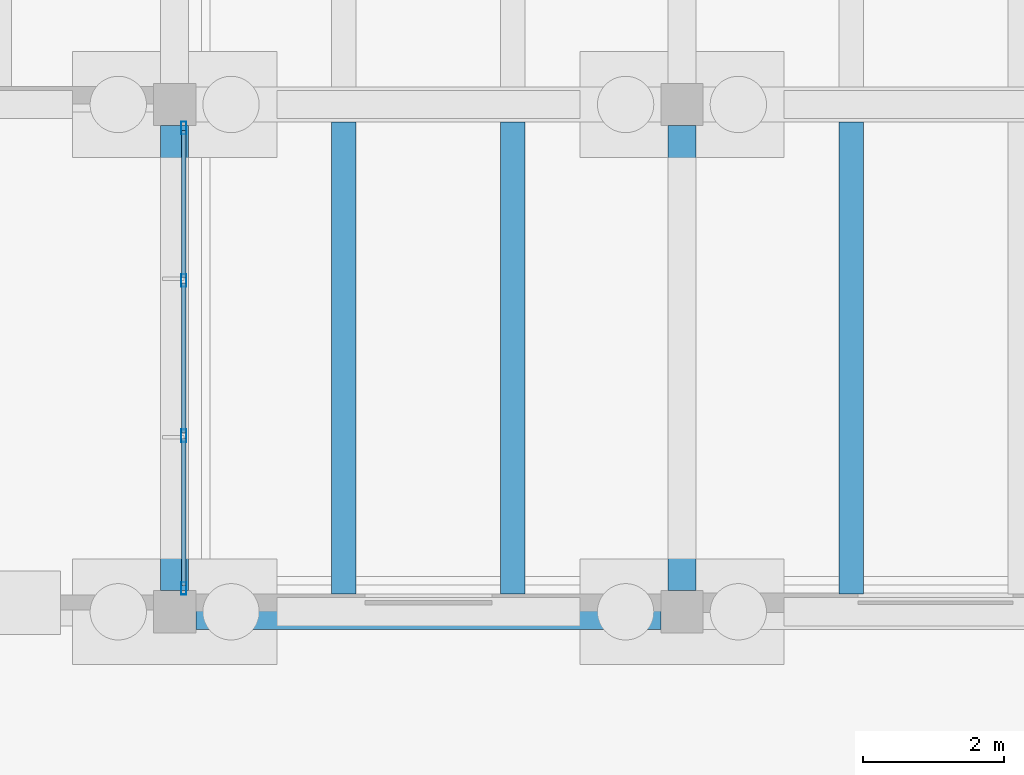
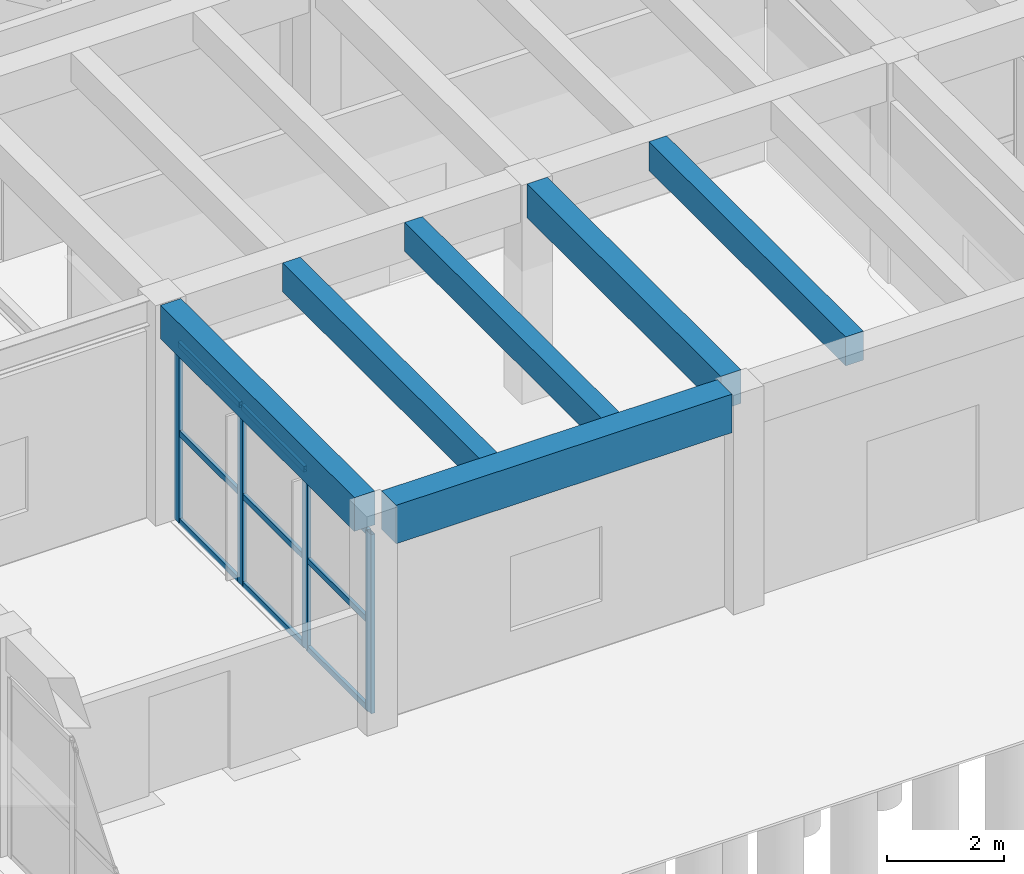
# One storey, part 50 of 155: 13 members, 6 beams, 1 element without a shape of its own.
"""IFC4 building model written with IfcOpenShell, lengths in metres."""

import ifcopenshell
import ifcopenshell.guid

model = None  # the IFC model being written
_history = None  # IfcOwnerHistory: only IFC2X3 demands one
_inside = {}  # id of a spatial element -> (the spatial element, [elements in it])
_under = {}  # id of a project, library or spatial element -> (it, [spatial elements below it])
_declared = {}  # id of a project -> (the project, [libraries it declares])
_typed = {}  # id of a type object -> (the type object, [elements of that type])
_made_of = {}  # id of a material, layer set ... -> (it, [elements and type objects made of it])


def new_model(schema):
    """Start an empty IFC model of exactly this schema.

    Asked for "IFC4X3", IfcOpenShell would pick the latest addendum, in which some entities
    have other attributes; the version numbers below select the first issue.
    IFC2X3 requires an IfcOwnerHistory on every rooted entity: one is made here for all.
    """
    global model, _history
    if schema == "IFC4X3":
        model = ifcopenshell.file(schema_version=(4, 3, 0, 0))
    else:
        model = ifcopenshell.file(schema=schema)
    _inside.clear()
    _under.clear()
    _declared.clear()
    _typed.clear()
    _made_of.clear()
    _history = None
    if model.schema == "IFC2X3":
        org = make("IfcOrganization", Name="unknown")
        user = make(
            "IfcPersonAndOrganization",
            ThePerson=make("IfcPerson", FamilyName="unknown"),
            TheOrganization=org,
        )
        app = make(
            "IfcApplication",
            ApplicationDeveloper=org,
            Version="unknown",
            ApplicationFullName="unknown",
            ApplicationIdentifier="unknown",
        )
        _history = make(
            "IfcOwnerHistory",
            OwningUser=user,
            OwningApplication=app,
            ChangeAction="ADDED",
            CreationDate=0,
        )
    return model


def make(cls, **values):
    """One entity of the class cls with the attributes given. An attribute that is None is left unset."""
    return model.create_entity(
        cls, **{name: value for name, value in values.items() if value is not None}
    )


def rooted(cls, **values):
    """An entity with a GlobalId (a new one), such as an element, a storey or a relation."""
    return make(cls, GlobalId=ifcopenshell.guid.new(), OwnerHistory=_history, **values)


def si_unit(unit_type, name, prefix=None):
    """IfcSIUnit, for example si_unit("LENGTHUNIT", "METRE", prefix="MILLI")."""
    return make("IfcSIUnit", UnitType=unit_type, Prefix=prefix, Name=name)


def assignment(units):
    """IfcUnitAssignment: the units of a project."""
    return None if units is None else make("IfcUnitAssignment", Units=units)


def point(xyz):
    """IfcCartesianPoint."""
    return None if xyz is None else make("IfcCartesianPoint", Coordinates=xyz)


def direction(xyz):
    """IfcDirection."""
    return None if xyz is None else make("IfcDirection", DirectionRatios=xyz)


def frame(location, z_axis=None, x_axis=None):
    """IfcAxis2Placement3D, a coordinate frame: its origin and axes. An axis left out is left unset."""
    return make(
        "IfcAxis2Placement3D",
        Location=point(location),
        Axis=direction(z_axis),
        RefDirection=direction(x_axis),
    )


def frame_2d(location, x_axis=None):
    """IfcAxis2Placement2D, a coordinate frame in the plane: its origin and x axis."""
    return make(
        "IfcAxis2Placement2D", Location=point(location), RefDirection=direction(x_axis)
    )


def origin():
    """The frame at (0, 0, 0) with its axes left unset."""
    return frame((0.0, 0.0, 0.0))


def origin_2d():
    """The frame at (0, 0) in the plane with its x axis left unset."""
    return frame_2d((0.0, 0.0))


def place(relative_to, where):
    """IfcLocalPlacement: puts the frame where relative to a parent placement (None: the world)."""
    return make(
        "IfcLocalPlacement", PlacementRelTo=relative_to, RelativePlacement=where
    )


def context(
    kind, dimensions, precision=None, world=None, true_north=None, identifier=None
):
    """IfcGeometricRepresentationContext, for example the 3D "Model" context."""
    return make(
        "IfcGeometricRepresentationContext",
        ContextIdentifier=identifier,
        ContextType=kind,
        CoordinateSpaceDimension=dimensions,
        Precision=precision,
        WorldCoordinateSystem=world,
        TrueNorth=true_north,
    )


def subcontext(parent, identifier, kind, view, scale=None):
    """IfcGeometricRepresentationSubContext, for example "Body" below "Model"."""
    return make(
        "IfcGeometricRepresentationSubContext",
        ContextIdentifier=identifier,
        ContextType=kind,
        ParentContext=parent,
        TargetScale=scale,
        TargetView=view,
    )


def project(units=None, contexts=None):
    """IfcProject with its units and contexts."""
    return rooted(
        "IfcProject",
        Name="project",
        RepresentationContexts=contexts,
        UnitsInContext=assignment(units),
    )


def spatial(cls, under=None, at=None, **own):
    """A site, building, storey or space (cls), placed at a placement, below another one or the project."""
    s = rooted(cls, ObjectPlacement=at, **own)
    if under is not None:
        _under.setdefault(under.id(), (under, []))[1].append(s)
    return s


def profile(cls, at=None, kind="AREA", **sizes):
    """A parametric profile (cls). Its sizes go by their IFC names, for example OverallWidth=200.0."""
    return make(cls, ProfileType=kind, Position=at, **sizes)


def rectangle(**sizes):
    """IfcRectangleProfileDef."""
    return profile("IfcRectangleProfileDef", **sizes)


def hollow_rectangle(**sizes):
    """IfcRectangleHollowProfileDef."""
    return profile("IfcRectangleHollowProfileDef", **sizes)


def extrude(swept, where, along, depth):
    """IfcExtrudedAreaSolid: the profile swept, set in the frame where, extruded along a direction by depth."""
    return make(
        "IfcExtrudedAreaSolid",
        SweptArea=swept,
        Position=where,
        ExtrudedDirection=direction(along),
        Depth=depth,
    )


def shape(context_of_items, identifier, shape_type, items):
    """IfcShapeRepresentation: the items that make up one representation, for example the "Body"."""
    return make(
        "IfcShapeRepresentation",
        ContextOfItems=context_of_items,
        RepresentationIdentifier=identifier,
        RepresentationType=shape_type,
        Items=items,
    )


def material(Name=None, Category=None):
    """IfcMaterial."""
    return make("IfcMaterial", Name=Name, Category=Category)


def material_profile(
    of_material, cross_section, Name=None, Category=None, Priority=None
):
    """IfcMaterialProfile: a cross section and its material."""
    return make(
        "IfcMaterialProfile",
        Name=Name,
        Material=of_material,
        Profile=cross_section,
        Priority=Priority,
        Category=Category,
    )


def profile_set(profiles, Name=None, composite=None):
    """IfcMaterialProfileSet."""
    return make(
        "IfcMaterialProfileSet",
        Name=Name,
        MaterialProfiles=profiles,
        CompositeProfile=composite,
    )


def made_of(thing, what):
    """Note that an element or type object is made of a material, layer set ...; save() writes the relation."""
    if what is not None:
        _made_of.setdefault(what.id(), (what, []))[1].append(thing)
    return thing


def type_object(cls, material=None, **own):
    """A type object (cls), such as IfcWallType, which elements share."""
    return made_of(rooted(cls, **own), material)


def element(
    cls,
    number,
    at=None,
    inside=None,
    cuts=None,
    type_object=None,
    material=None,
    context=None,
    identifier="Body",
    shape_type=None,
    held_by="IfcProductDefinitionShape",
    body=None,
    shapes=None,
    **own,
):
    """One element of the class cls, such as IfcWall. Its Tag is "e" and its number.

    at: its placement. inside: the storey or other place that contains it. cuts: it is an
    opening in that element (IfcRelVoidsElement). A single representation is given by context,
    identifier, shape_type and body (its items); several are given by shapes. held_by: the class
    of the entity that holds the representations. save() writes the other relations.
    """
    e = rooted(cls, Tag="e%d" % number, ObjectPlacement=at, **own)
    if body is not None:
        shapes = [shape(context, identifier, shape_type, body)]
    if shapes is not None:
        e.Representation = make(held_by, Representations=shapes)
    if inside is not None:
        _inside.setdefault(inside.id(), (inside, []))[1].append(e)
    if cuts is not None:
        rooted(
            "IfcRelVoidsElement", RelatingBuildingElement=cuts, RelatedOpeningElement=e
        )
    if type_object is not None:
        _typed.setdefault(type_object.id(), (type_object, []))[1].append(e)
    return made_of(e, material)


def aggregate(whole, parts):
    """IfcRelAggregates: a whole, such as a stair, and the parts it consists of."""
    return rooted("IfcRelAggregates", RelatingObject=whole, RelatedObjects=parts)


def save(model, path):
    """Write the relations noted so far, then the file.

    IfcRelAggregates (storeys below a building ...), IfcRelContainedInSpatialStructure (elements
    in a storey), IfcRelDefinesByType, IfcRelAssociatesMaterial and IfcRelDeclares: one each for
    every whole, place, type object, material and project.
    """
    for whole, parts in _under.values():
        aggregate(whole, parts)
    for where, things in _inside.values():
        rooted(
            "IfcRelContainedInSpatialStructure",
            RelatedElements=things,
            RelatingStructure=where,
        )
    for kind, things in _typed.values():
        rooted("IfcRelDefinesByType", RelatedObjects=things, RelatingType=kind)
    for what, things in _made_of.values():
        rooted("IfcRelAssociatesMaterial", RelatedObjects=things, RelatingMaterial=what)
    for by, libraries in _declared.values():
        rooted("IfcRelDeclares", RelatingContext=by, RelatedDefinitions=libraries)
    model.write(path)


model = new_model("IFC4")

# Units and contexts
model_context = context("Model", 3, precision=1e-05, world=origin(), true_north=direction((0.0, 1.0)))
body_context = subcontext(model_context, "Body", "Model", "MODEL_VIEW")
ifc_project = project(units=[si_unit("LENGTHUNIT", "METRE"), si_unit("AREAUNIT", "SQUARE_METRE"), si_unit("VOLUMEUNIT", "CUBIC_METRE"), si_unit("PLANEANGLEUNIT", "RADIAN"), si_unit("MASSUNIT", "GRAM", prefix="KILO")], contexts=[model_context])

# Site, building, storey
site_placement = place(None, origin())
site = spatial("IfcSite", under=ifc_project, at=site_placement, CompositionType="ELEMENT")
building_placement = place(site_placement, origin())
building = spatial("IfcBuilding", under=site, at=building_placement, Name="Bramvelor Terrace Health Centre", CompositionType="ELEMENT")
storey_placement = place(building_placement, origin())
storey = spatial("IfcBuildingStorey", under=building, at=storey_placement, Name="L01", CompositionType="ELEMENT", Elevation=0.0)

# Beams
ifc_material_1 = material(Name="Concrete C40/50", Category="concrete")
ifc_material_profile_1 = material_profile(ifc_material_1, rectangle(XDim=0.39990234375, YDim=0.699951171875, at=origin_2d()), Name="RC 400x700")
ifc_profile_set_1 = profile_set([ifc_material_profile_1], Name="Concrete C40/50")
beam_type_1 = type_object("IfcBeamType", Name="BM-RC-G700", PredefinedType="BEAM", material=ifc_profile_set_1)
for number, where, z_axis, x_axis, name in (
    (1, (100.800048828125, 43.5, 4.2099609375), (0.0, 1.0, 0.0), (-1.0, 0.0, 0.0), "L01 Floor Girder"),
    (2, (108.0, 43.5, 4.2099609375), (0.0, 1.0, 0.0), (-1.0, 0.0, 0.0), "L01 Floor Girder"),
):
    element("IfcBeam", number, at=place(storey_placement, frame(where, z_axis=z_axis, x_axis=x_axis)), inside=storey, type_object=beam_type_1, Name=name, PredefinedType="BEAM", context=body_context, shape_type="SweptSolid", body=[
        extrude(rectangle(XDim=0.39990234375, YDim=0.699951171875, at=origin_2d()), origin(), (0.0, 0.0, 1.0), 6.60009765625),
    ])
ifc_material_2 = material(Name="Concrete C40/50", Category="concrete")
ifc_material_profile_2 = material_profile(ifc_material_2, rectangle(XDim=0.5, YDim=0.800048828125, at=origin_2d()), Name="RC 500x800")
ifc_profile_set_2 = profile_set([ifc_material_profile_2], Name="Concrete C40/50")
beam_type_2 = type_object("IfcBeamType", Name="BM-RC-G800", PredefinedType="BEAM", material=ifc_profile_set_2)
beam_placement = place(storey_placement, frame((101.10009765625, 43.199951171875, 4.159912109375), z_axis=(1.0, 0.0, 0.0), x_axis=(0.0, 1.0, 0.0)))
element("IfcBeam", 3, at=beam_placement, inside=storey, type_object=beam_type_2, Name="L01 Floor Girder", PredefinedType="BEAM", context=body_context, shape_type="SweptSolid", body=[
    extrude(rectangle(XDim=0.5, YDim=0.800048828125, at=origin_2d()), origin(), (0.0, 0.0, 1.0), 6.599853515625),
])
ifc_material_3 = material(Name="Concrete C40/50", Category="concrete")
ifc_material_profile_3 = material_profile(ifc_material_3, rectangle(XDim=0.35009765625, YDim=0.60009765625, at=origin_2d()), Name="RC 350x600")
ifc_profile_set_3 = profile_set([ifc_material_profile_3], Name="Concrete C40/50")
beam_type_3 = type_object("IfcBeamType", Name="BM-RC-J600", PredefinedType="JOIST", material=ifc_profile_set_3)
for number, where, z_axis, x_axis, name in (
    (4, (103.199951171875, 43.449951171875, 4.260009765625), (0.0, 1.0, 0.0), (-1.0, 0.0, 0.0), "L01 Secondary Floor Joist"),
    (5, (105.60009765625, 43.449951171875, 4.260009765625), (0.0, 1.0, 0.0), (-1.0, 0.0, 0.0), "L01 Secondary Floor Joist"),
    (6, (110.39990234375, 43.449951171875, 4.260009765625), (0.0, 1.0, 0.0), (-1.0, 0.0, 0.0), "L01 Secondary Floor Joist"),
):
    element("IfcBeam", number, at=place(storey_placement, frame(where, z_axis=z_axis, x_axis=x_axis)), inside=storey, type_object=beam_type_3, Name=name, PredefinedType="JOIST", context=body_context, shape_type="SweptSolid", body=[
        extrude(rectangle(XDim=0.35009765625, YDim=0.60009765625, at=origin_2d()), origin(), (0.0, 0.0, 1.0), 6.699951171875),
    ])

# Curtain wall, members
ifc_material_4 = material(Name="Anodized aluminium and double low-E glass", Category="aluminium")
curtain_wall_type = type_object("IfcCurtainWallType", Name="CW-SYS-02", PredefinedType="NOTDEFINED", material=ifc_material_4)
curtain_wall_placement = place(storey_placement, origin())
curtain_wall = element("IfcCurtainWall", 7, at=curtain_wall_placement, inside=storey, type_object=curtain_wall_type, Name="L01 Unitized Curtain Wall 45", PredefinedType="NOTDEFINED")
ifc_material_5 = material(Name="Anodized aluminium 6063-T6", Category="aluminium")
ifc_material_profile_4 = material_profile(ifc_material_5, hollow_rectangle(XDim=0.074951171875, YDim=0.179931640625, WallThickness=0.00341796875, at=origin_2d()), Name="ALU-MUL 75x180x3.5")
ifc_profile_set_4 = profile_set([ifc_material_profile_4], Name="Anodized aluminium 6063-T6")
member_type_1 = type_object("IfcMemberType", Name="CW-MUL-65x180", PredefinedType="MULLION", material=ifc_profile_set_4)
member_1_placement = place(storey_placement, frame((100.929931640625, 43.532470703125, 0.0), z_axis=(0.0, 0.0, 1.0), x_axis=(-1.0, 0.0, 0.0)))
member_1 = element("IfcMember", 8, at=member_1_placement, type_object=member_type_1, Name="CW-02 mullion 1", PredefinedType="MULLION", context=body_context, shape_type="SweptSolid", body=[
    extrude(hollow_rectangle(XDim=0.074951171875, YDim=0.179931640625, WallThickness=0.00341796875, at=origin_2d()), origin(), (0.0, 0.0, 1.0), 3.719970703125),
])
member_2_placement = place(storey_placement, frame((100.929931640625, 45.6982421875, 0.0), z_axis=(0.0, 0.0, 1.0), x_axis=(-1.0, 0.0, 0.0)))
member_2 = element("IfcMember", 9, at=member_2_placement, type_object=member_type_1, Name="CW-02 mullion 2", PredefinedType="MULLION", context=body_context, shape_type="SweptSolid", body=[
    extrude(hollow_rectangle(XDim=0.074951171875, YDim=0.179931640625, WallThickness=0.00341796875, at=origin_2d()), origin(), (0.0, 0.0, 1.0), 3.719970703125),
])
member_3_placement = place(storey_placement, frame((100.929931640625, 47.901611328125, 0.0), z_axis=(0.0, 0.0, 1.0), x_axis=(-1.0, 0.0, 0.0)))
member_3 = element("IfcMember", 10, at=member_3_placement, type_object=member_type_1, Name="CW-02 mullion 3", PredefinedType="MULLION", context=body_context, shape_type="SweptSolid", body=[
    extrude(hollow_rectangle(XDim=0.074951171875, YDim=0.179931640625, WallThickness=0.00341796875, at=origin_2d()), origin(), (0.0, 0.0, 1.0), 3.719970703125),
])
member_4_placement = place(storey_placement, frame((100.929931640625, 50.0673828125, 0.0), z_axis=(0.0, 0.0, 1.0), x_axis=(-1.0, 0.0, 0.0)))
member_4 = element("IfcMember", 11, at=member_4_placement, type_object=member_type_1, Name="CW-02 mullion 4", PredefinedType="MULLION", context=body_context, shape_type="SweptSolid", body=[
    extrude(hollow_rectangle(XDim=0.074951171875, YDim=0.179931640625, WallThickness=0.00341796875, at=origin_2d()), origin(), (0.0, 0.0, 1.0), 3.719970703125),
])
ifc_material_6 = material(Name="Anodized aluminium 6063-T6", Category="aluminium")
ifc_material_profile_5 = material_profile(ifc_material_6, hollow_rectangle(XDim=0.06494140625, YDim=0.1201171875, WallThickness=0.0029296875, at=origin_2d()), Name="ALU-TRN 65x120x3.0")
ifc_profile_set_5 = profile_set([ifc_material_profile_5], Name="Anodized aluminium 6063-T6")
member_type_2 = type_object("IfcMemberType", Name="CW-TRN-65x150", PredefinedType="USERDEFINED", material=ifc_profile_set_5)
member_5_placement = place(storey_placement, frame((100.929931640625, 43.570068359375, 0.032470703125), z_axis=(0.0, 1.0, 0.0), x_axis=(-1.0, 0.0, 0.0)))
member_5 = element("IfcMember", 12, at=member_5_placement, type_object=member_type_2, Name="CW-02 transom 1.1", ObjectType="TRANSOM", PredefinedType="USERDEFINED", context=body_context, shape_type="SweptSolid", body=[
    extrude(hollow_rectangle(XDim=0.06494140625, YDim=0.1201171875, WallThickness=0.0029296875, at=origin_2d()), origin(), (0.0, 0.0, 1.0), 2.0908203125),
])
member_6_placement = place(storey_placement, frame((100.929931640625, 43.570068359375, 1.860107421875), z_axis=(0.0, 1.0, 0.0), x_axis=(-1.0, 0.0, 0.0)))
member_6 = element("IfcMember", 13, at=member_6_placement, type_object=member_type_2, Name="CW-02 transom 1.2", ObjectType="TRANSOM", PredefinedType="USERDEFINED", context=body_context, shape_type="SweptSolid", body=[
    extrude(hollow_rectangle(XDim=0.06494140625, YDim=0.1201171875, WallThickness=0.0029296875, at=origin_2d()), origin(), (0.0, 0.0, 1.0), 2.0908203125),
])
member_7_placement = place(storey_placement, frame((100.929931640625, 43.570068359375, 3.6875), z_axis=(0.0, 1.0, 0.0), x_axis=(-1.0, 0.0, 0.0)))
member_7 = element("IfcMember", 14, at=member_7_placement, type_object=member_type_2, Name="CW-02 transom 1.3", ObjectType="TRANSOM", PredefinedType="USERDEFINED", context=body_context, shape_type="SweptSolid", body=[
    extrude(hollow_rectangle(XDim=0.06494140625, YDim=0.1201171875, WallThickness=0.0029296875, at=origin_2d()), origin(), (0.0, 0.0, 1.0), 2.0908203125),
])
member_8_placement = place(storey_placement, frame((100.929931640625, 45.73583984375, 0.032470703125), z_axis=(0.0, 1.0, 0.0), x_axis=(-1.0, 0.0, 0.0)))
member_8 = element("IfcMember", 15, at=member_8_placement, type_object=member_type_2, Name="CW-02 transom 2.1", ObjectType="TRANSOM", PredefinedType="USERDEFINED", context=body_context, shape_type="SweptSolid", body=[
    extrude(hollow_rectangle(XDim=0.06494140625, YDim=0.1201171875, WallThickness=0.0029296875, at=origin_2d()), origin(), (0.0, 0.0, 1.0), 2.12841796875),
])
member_9_placement = place(storey_placement, frame((100.929931640625, 45.73583984375, 1.860107421875), z_axis=(0.0, 1.0, 0.0), x_axis=(-1.0, 0.0, 0.0)))
member_9 = element("IfcMember", 16, at=member_9_placement, type_object=member_type_2, Name="CW-02 transom 2.2", ObjectType="TRANSOM", PredefinedType="USERDEFINED", context=body_context, shape_type="SweptSolid", body=[
    extrude(hollow_rectangle(XDim=0.06494140625, YDim=0.1201171875, WallThickness=0.0029296875, at=origin_2d()), origin(), (0.0, 0.0, 1.0), 2.12841796875),
])
member_10_placement = place(storey_placement, frame((100.929931640625, 45.73583984375, 3.6875), z_axis=(0.0, 1.0, 0.0), x_axis=(-1.0, 0.0, 0.0)))
member_10 = element("IfcMember", 17, at=member_10_placement, type_object=member_type_2, Name="CW-02 transom 2.3", ObjectType="TRANSOM", PredefinedType="USERDEFINED", context=body_context, shape_type="SweptSolid", body=[
    extrude(hollow_rectangle(XDim=0.06494140625, YDim=0.1201171875, WallThickness=0.0029296875, at=origin_2d()), origin(), (0.0, 0.0, 1.0), 2.12841796875),
])
member_11_placement = place(storey_placement, frame((100.929931640625, 47.939208984375, 0.032470703125), z_axis=(0.0, 1.0, 0.0), x_axis=(-1.0, 0.0, 0.0)))
member_11 = element("IfcMember", 18, at=member_11_placement, type_object=member_type_2, Name="CW-02 transom 3.1", ObjectType="TRANSOM", PredefinedType="USERDEFINED", context=body_context, shape_type="SweptSolid", body=[
    extrude(hollow_rectangle(XDim=0.06494140625, YDim=0.1201171875, WallThickness=0.0029296875, at=origin_2d()), origin(), (0.0, 0.0, 1.0), 2.0908203125),
])
member_12_placement = place(storey_placement, frame((100.929931640625, 47.939208984375, 1.860107421875), z_axis=(0.0, 1.0, 0.0), x_axis=(-1.0, 0.0, 0.0)))
member_12 = element("IfcMember", 19, at=member_12_placement, type_object=member_type_2, Name="CW-02 transom 3.2", ObjectType="TRANSOM", PredefinedType="USERDEFINED", context=body_context, shape_type="SweptSolid", body=[
    extrude(hollow_rectangle(XDim=0.06494140625, YDim=0.1201171875, WallThickness=0.0029296875, at=origin_2d()), origin(), (0.0, 0.0, 1.0), 2.0908203125),
])
member_13_placement = place(storey_placement, frame((100.929931640625, 47.939208984375, 3.6875), z_axis=(0.0, 1.0, 0.0), x_axis=(-1.0, 0.0, 0.0)))
member_13 = element("IfcMember", 20, at=member_13_placement, type_object=member_type_2, Name="CW-02 transom 3.3", ObjectType="TRANSOM", PredefinedType="USERDEFINED", context=body_context, shape_type="SweptSolid", body=[
    extrude(hollow_rectangle(XDim=0.06494140625, YDim=0.1201171875, WallThickness=0.0029296875, at=origin_2d()), origin(), (0.0, 0.0, 1.0), 2.0908203125),
])
aggregate(curtain_wall, [member_1, member_2, member_3, member_4, member_5, member_6, member_7, member_8, member_9, member_10, member_11, member_12, member_13])

save(model, "model.ifc")
